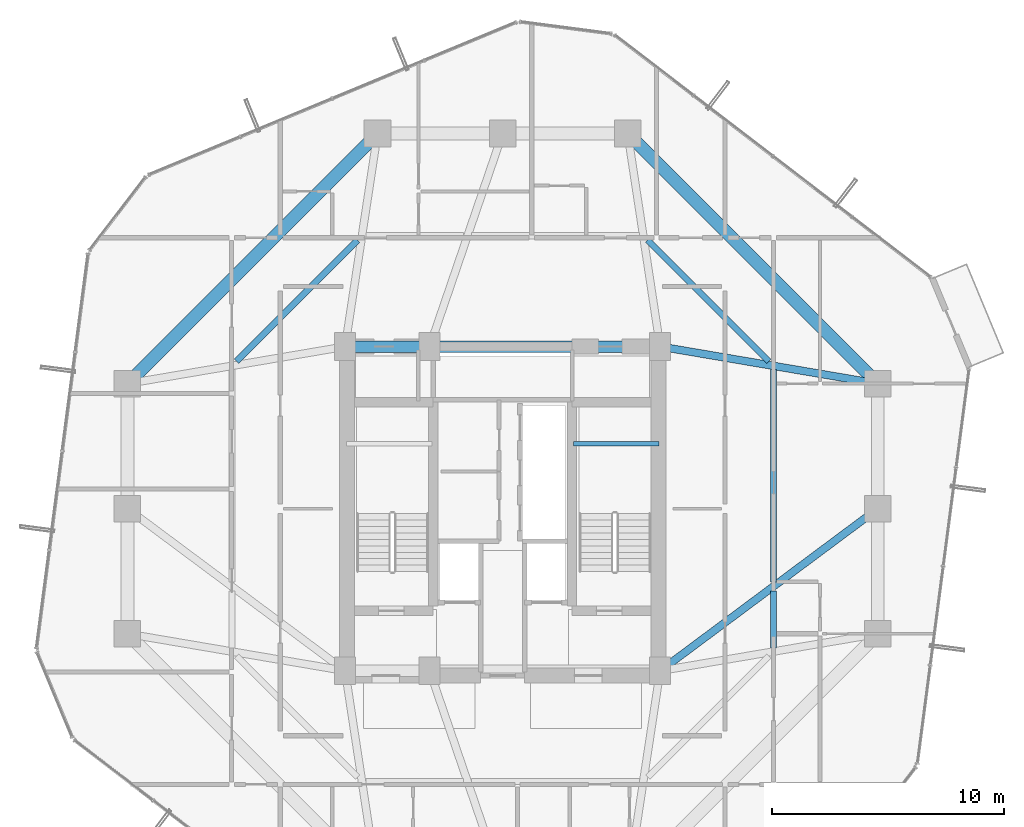
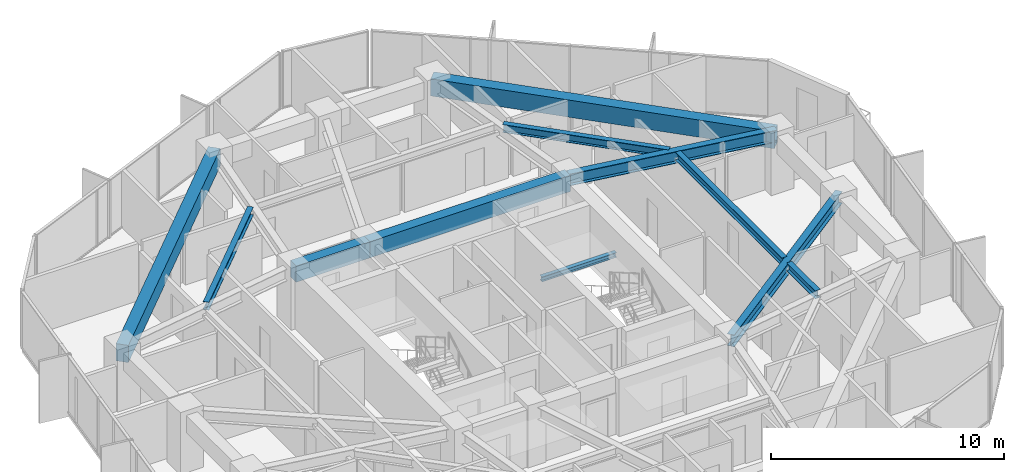
# One storey, part 13 of 30: 11 beams.
"""IFC4 building model written with IfcOpenShell, lengths in metres."""

from ifc_helpers import new_model, si_unit, direction, frame, origin, origin_2d, place, context, subcontext, project, spatial, rectangle, i_section, extrude, material, material_profile, profile_set, type_object, element, save


model = new_model("IFC4")

# Units and contexts
model_context = context("Model", 3, precision=1e-05, world=origin(), true_north=direction((0.0, 1.0)))
body_context = subcontext(model_context, "Body", "Model", "MODEL_VIEW")
ifc_project = project(units=[si_unit("LENGTHUNIT", "METRE"), si_unit("AREAUNIT", "SQUARE_METRE"), si_unit("VOLUMEUNIT", "CUBIC_METRE"), si_unit("PLANEANGLEUNIT", "RADIAN"), si_unit("MASSUNIT", "GRAM", prefix="KILO")], contexts=[model_context])

# Site, building, storey
site_placement = place(None, origin())
site = spatial("IfcSite", under=ifc_project, at=site_placement, CompositionType="ELEMENT")
building_placement = place(site_placement, origin())
building = spatial("IfcBuilding", under=site, at=building_placement, Name="Veraguas Prism Commons", CompositionType="ELEMENT")
storey_placement = place(building_placement, frame((0.0, 0.0, 102.449951171875)))
storey = spatial("IfcBuildingStorey", under=building, at=storey_placement, Name="L28", CompositionType="ELEMENT", Elevation=102.449951171875)

# Beams
ifc_material_1 = material(Name="Concrete C50/60", Category="concrete")
ifc_material_profile_1 = material_profile(ifc_material_1, rectangle(XDim=0.5, YDim=0.85009765625, at=origin_2d()), Name="RC500X850")
ifc_profile_set_1 = profile_set([ifc_material_profile_1], Name="Concrete C50/60")
beam_type_1 = type_object("IfcBeamType", Name="Core Coupling Beam RC 500x850", PredefinedType="BEAM", material=ifc_profile_set_1)
beam_1_placement = place(storey_placement, frame((17.199951171875, 31.0, 2.574951171875), z_axis=(1.0, 0.0, 0.0), x_axis=(0.0, 1.0, 0.0)))
element("IfcBeam", 1, at=beam_1_placement, inside=storey, type_object=beam_type_1, Name="Core Coupling Beam L28-CRN1", PredefinedType="BEAM", context=body_context, shape_type="SweptSolid", body=[
    extrude(rectangle(XDim=0.5, YDim=0.85009765625, at=origin_2d()), origin(), (0.0, 0.0, 1.0), 3.650146484375),
])
beam_2_placement = place(storey_placement, frame((20.85009765625, 31.0, 2.574951171875), z_axis=(1.0, 0.0, 0.0), x_axis=(0.0, 1.0, 0.0)))
element("IfcBeam", 2, at=beam_2_placement, inside=storey, type_object=beam_type_1, Name="Core Coupling Beam L28-CRN2", PredefinedType="BEAM", context=body_context, shape_type="SweptSolid", body=[
    extrude(rectangle(XDim=0.5, YDim=0.85009765625, at=origin_2d()), origin(), (0.0, 0.0, 1.0), 9.949951171875),
])
ifc_material_2 = material(Name="Steel ASTM A992 Grade 50", Category="steel")
ifc_material_profile_2 = material_profile(ifc_material_2, i_section(OverallWidth=0.260986328125, OverallDepth=0.419921875, WebThickness=0.01171875, FlangeThickness=0.019287109375, at=origin_2d()), Name="W410X114")
ifc_profile_set_2 = profile_set([ifc_material_profile_2], Name="Steel ASTM A992 Grade 50")
beam_type_2 = type_object("IfcBeamType", Name="Lower Floor Joist W410x114", PredefinedType="JOIST", material=ifc_profile_set_2)
beam_3_placement = place(storey_placement, frame((35.68798828125, 17.996337890625, 2.7900390625), z_axis=(0.0, 1.0, 0.0), x_axis=(-1.0, 0.0, 0.0)))
element("IfcBeam", 3, at=beam_3_placement, inside=storey, type_object=beam_type_2, Name="Composite Floor Joist L28-JS01", PredefinedType="JOIST", context=body_context, shape_type="SweptSolid", body=[
    extrude(i_section(OverallWidth=0.260986328125, OverallDepth=0.419921875, WebThickness=0.01171875, FlangeThickness=0.019287109375, at=origin_2d()), origin(), (0.0, 0.0, 1.0), 2.441650390625),
])
beam_4_placement = place(storey_placement, frame((35.68798828125, 20.842041015625, 2.7900390625), z_axis=(0.0, 1.0, 0.0), x_axis=(-1.0, 0.0, 0.0)))
element("IfcBeam", 4, at=beam_4_placement, inside=storey, type_object=beam_type_2, Name="Composite Floor Joist L28-JS02", PredefinedType="JOIST", context=body_context, shape_type="SweptSolid", body=[
    extrude(i_section(OverallWidth=0.260986328125, OverallDepth=0.419921875, WebThickness=0.01171875, FlangeThickness=0.019287109375, at=origin_2d()), origin(), (0.0, 0.0, 1.0), 9.16162109375),
])
for number, where, z_axis, x_axis, name in (
    (5, (35.489990234375, 30.365966796875, 2.7900390625), (-0.707090260193, 0.707123301794, 0.0), (-0.707123301794, -0.707090260193, 0.0), "Composite Floor Joist L28-JS03"),
    (6, (17.734619140625, 35.5908203125, 2.7900390625), (-0.707090260193, -0.707123301794, 0.0), (0.707123301794, -0.707090260193, 0.0), "Composite Floor Joist L28-JS06"),
):
    element("IfcBeam", number, at=place(storey_placement, frame(where, z_axis=z_axis, x_axis=x_axis)), inside=storey, type_object=beam_type_2, Name=name, PredefinedType="JOIST", context=body_context, shape_type="SweptSolid", body=[
        extrude(i_section(OverallWidth=0.260986328125, OverallDepth=0.419921875, WebThickness=0.01171875, FlangeThickness=0.019287109375, at=origin_2d()), origin(), (0.0, 0.0, 1.0), 7.388916015625),
    ])
ifc_material_profile_3 = material_profile(ifc_material_1, rectangle(XDim=0.550048828125, YDim=0.89990234375, at=origin_2d()), Name="RC550X900")
ifc_profile_set_3 = profile_set([ifc_material_profile_3], Name="Concrete C50/60")
beam_type_3 = type_object("IfcBeamType", Name="Perimeter Spandrel Lower RC 550x900", PredefinedType="SPANDREL", material=ifc_profile_set_3)
for number, where, z_axis, x_axis, name in (
    (7, (40.199951171875, 29.39990234375, 2.550048828125), (-0.707106781187, 0.707106781187, 0.0), (-0.707106781187, -0.707106781187, 0.0), "Perimeter Spandrel Beam L28-SP03"),
    (8, (18.60009765625, 40.199951171875, 2.550048828125), (-0.707106781187, -0.707106781187, 0.0), (0.707106781187, -0.707106781187, 0.0), "Perimeter Spandrel Beam L28-SP06"),
):
    element("IfcBeam", number, at=place(storey_placement, frame(where, z_axis=z_axis, x_axis=x_axis)), inside=storey, type_object=beam_type_3, Name=name, PredefinedType="SPANDREL", context=body_context, shape_type="SweptSolid", body=[
        extrude(rectangle(XDim=0.550048828125, YDim=0.89990234375, at=origin_2d()), origin(), (0.0, 0.0, 1.0), 15.273681640625),
    ])
ifc_material_profile_4 = material_profile(ifc_material_2, i_section(OverallWidth=0.202880859375, OverallDepth=0.251953125, WebThickness=0.008056640625, FlangeThickness=0.013427734375, at=origin_2d()), Name="W250X58")
ifc_profile_set_4 = profile_set([ifc_material_profile_4], Name="Steel ASTM A992 Grade 50")
beam_type_4 = type_object("IfcBeamType", Name="Structural Opening Lintel W250x58", PredefinedType="LINTEL", material=ifc_profile_set_4)
beam_5_placement = place(storey_placement, frame((27.050048828125, 26.800048828125, 1.299072265625), z_axis=(1.0, 0.0, 0.0), x_axis=(0.0, 1.0, 0.0)))
element("IfcBeam", 9, at=beam_5_placement, inside=storey, type_object=beam_type_4, Name="Stair ST-02 Half-Landing Support Beam L28-1", PredefinedType="LINTEL", context=body_context, shape_type="SweptSolid", body=[
    extrude(i_section(OverallWidth=0.202880859375, OverallDepth=0.251953125, WebThickness=0.008056640625, FlangeThickness=0.013427734375, at=origin_2d()), origin(), (0.0, 0.0, 1.0), 3.699951171875),
])
ifc_material_profile_5 = material_profile(ifc_material_2, i_section(OverallWidth=0.327880859375, OverallDepth=0.6220703125, WebThickness=0.015380859375, FlangeThickness=0.0244140625, at=origin_2d()), Name="W610X195")
ifc_profile_set_5 = profile_set([ifc_material_profile_5], Name="Steel ASTM A992 Grade 50")
beam_type_5 = type_object("IfcBeamType", Name="Zone 2 Radial Girder W610x195", PredefinedType="BEAM", material=ifc_profile_set_5)
beam_6_placement = place(storey_placement, frame((40.199951171875, 24.0, 2.68896484375), z_axis=(-0.802040137921, -0.597270137512, 0.0), x_axis=(0.597270137512, -0.802040137921, 0.0)))
element("IfcBeam", 10, at=beam_6_placement, inside=storey, type_object=beam_type_5, Name="Radial Floor Girder L28-RD02", PredefinedType="BEAM", context=body_context, shape_type="SweptSolid", body=[
    extrude(i_section(OverallWidth=0.327880859375, OverallDepth=0.6220703125, WebThickness=0.015380859375, FlangeThickness=0.0244140625, at=origin_2d()), origin(), (0.0, 0.0, 1.0), 11.719970703125),
])
beam_7_placement = place(storey_placement, frame((40.199951171875, 29.39990234375, 2.68896484375), z_axis=(-0.985819187151, 0.1678109956, 0.0), x_axis=(-0.1678109956, -0.985819187151, 0.0)))
element("IfcBeam", 11, at=beam_7_placement, inside=storey, type_object=beam_type_5, Name="Radial Floor Girder L28-RD03", PredefinedType="BEAM", context=body_context, shape_type="SweptSolid", body=[
    extrude(i_section(OverallWidth=0.327880859375, OverallDepth=0.6220703125, WebThickness=0.015380859375, FlangeThickness=0.0244140625, at=origin_2d()), origin(), (0.0, 0.0, 1.0), 9.53515625),
])

save(model, "model.ifc")
